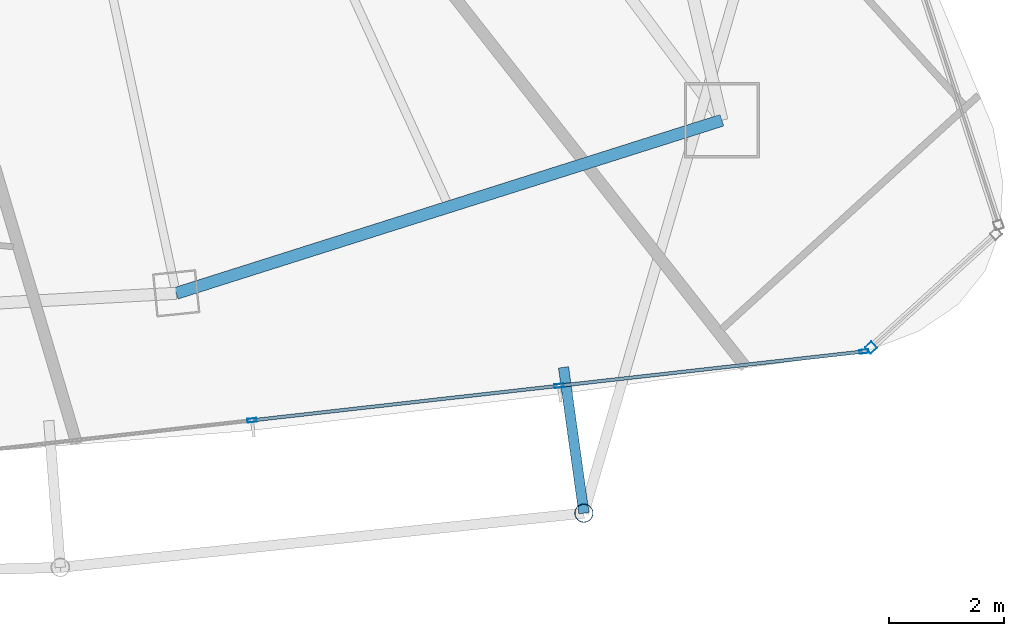
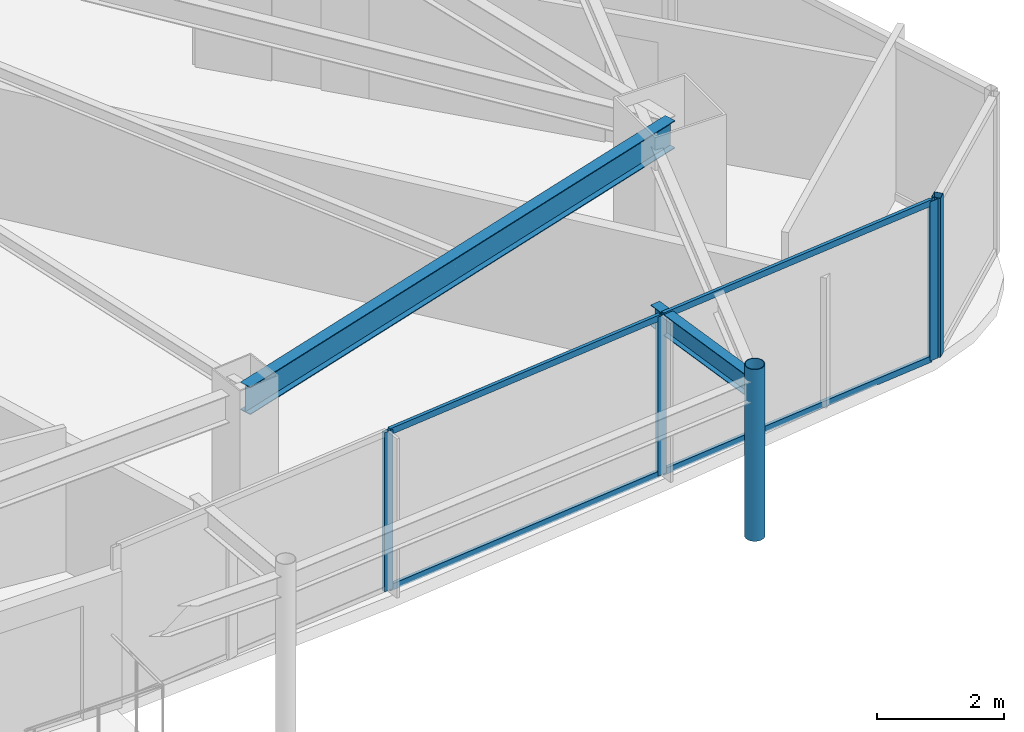
# One storey, part 15 of 33: 9 members, 2 beams, 2 elements without a shape of their own.
"""IFC4 building model written with IfcOpenShell, lengths in metres."""

from ifc_helpers import new_model, si_unit, direction, frame, origin, origin_2d, place, context, subcontext, project, spatial, hollow_rectangle, hollow_circle, i_section, extrude, material, layer, layer_set, material_profile, profile_set, type_object, element, aggregate, save


model = new_model("IFC4")

# Units and contexts
model_context = context("Model", 3, precision=1e-05, world=origin(), true_north=direction((0.0, 1.0)))
body_context = subcontext(model_context, "Body", "Model", "MODEL_VIEW")
ifc_project = project(units=[si_unit("LENGTHUNIT", "METRE"), si_unit("AREAUNIT", "SQUARE_METRE"), si_unit("VOLUMEUNIT", "CUBIC_METRE"), si_unit("PLANEANGLEUNIT", "RADIAN"), si_unit("MASSUNIT", "GRAM", prefix="KILO")], contexts=[model_context])

# Site, building, storey
site_placement = place(None, origin())
site = spatial("IfcSite", under=ifc_project, at=site_placement, CompositionType="ELEMENT")
building_placement = place(site_placement, origin())
building = spatial("IfcBuilding", under=site, at=building_placement, Name="Orvanel Arch Residences", CompositionType="ELEMENT")
storey_placement = place(building_placement, frame((0.0, 0.0, 196.39990234375)))
storey = spatial("IfcBuildingStorey", under=building, at=storey_placement, Name="L55", CompositionType="ELEMENT", Elevation=196.39990234375)

# Curtain wall, member
ifc_material_1 = material(Name="Bronze-anodised aluminium AA6063-T6", Category="aluminium")
ifc_layer_1 = layer(ifc_material_1, 0.18994140625)
ifc_layer_set_1 = layer_set([ifc_layer_1], Name="Bronze-anodised aluminium AA6063-T6")
curtain_wall_type_1 = type_object("IfcCurtainWallType", Name="CW5-CRN-SYS", PredefinedType="NOTDEFINED", material=ifc_layer_set_1)
curtain_wall_1_placement = place(storey_placement, origin())
curtain_wall_1 = element("IfcCurtainWall", 1, at=curtain_wall_1_placement, inside=storey, type_object=curtain_wall_type_1, Name="L55 CW5-CRN-SYS Unitised Curtain Wall", PredefinedType="NOTDEFINED")
ifc_material_profile_1 = material_profile(ifc_material_1, hollow_rectangle(XDim=0.14990234375, YDim=0.14990234375, WallThickness=0.0048828125, at=origin_2d()), Name="ALU150x150x5")
ifc_profile_set_1 = profile_set([ifc_material_profile_1], Name="Bronze-anodised aluminium AA6063-T6")
member_type_1 = type_object("IfcMemberType", Name="MUL-150x150", PredefinedType="MULLION", material=ifc_profile_set_1)
member_1_placement = place(storey_placement, frame((54.385498046875, 6.41650390625, 0.0), z_axis=(0.0, 0.0, 1.0), x_axis=(-0.672478543839, 0.740116617889, 0.0)))
member_1 = element("IfcMember", 2, at=member_1_placement, type_object=member_type_1, Name="CW-S5 mullion 1", PredefinedType="MULLION", context=body_context, shape_type="SweptSolid", body=[
    extrude(hollow_rectangle(XDim=0.14990234375, YDim=0.14990234375, WallThickness=0.0048828125, at=origin_2d()), origin(), (0.0, 0.0, 1.0), 3.06005859375),
])
aggregate(curtain_wall_1, [member_1])

# Curtain wall, members
ifc_layer_2 = layer(ifc_material_1, 0.175048828125)
ifc_layer_set_2 = layer_set([ifc_layer_2], Name="Bronze-anodised aluminium AA6063-T6")
curtain_wall_type_2 = type_object("IfcCurtainWallType", Name="CW4-HI-SYS", PredefinedType="NOTDEFINED", material=ifc_layer_set_2)
curtain_wall_2_placement = place(storey_placement, origin())
curtain_wall_2 = element("IfcCurtainWall", 3, at=curtain_wall_2_placement, inside=storey, type_object=curtain_wall_type_2, Name="L55 CW4-HI-SYS Unitised Curtain Wall", PredefinedType="NOTDEFINED")
ifc_material_profile_2 = material_profile(ifc_material_1, hollow_rectangle(XDim=0.06494140625, YDim=0.159912109375, WallThickness=0.00390625, at=origin_2d()), Name="ALU160x65x4")
ifc_profile_set_2 = profile_set([ifc_material_profile_2], Name="Bronze-anodised aluminium AA6063-T6")
member_type_2 = type_object("IfcMemberType", Name="MUL-160x65", PredefinedType="MULLION", material=ifc_profile_set_2)
member_2_placement = place(storey_placement, frame((43.664306640625, 5.155029296875, 0.0), z_axis=(0.0, 0.0, 1.0), x_axis=(-0.111799388547, 0.993730796907, 0.0)))
member_2 = element("IfcMember", 4, at=member_2_placement, type_object=member_type_2, Name="CW-S4 mullion 2", PredefinedType="MULLION", context=body_context, shape_type="SweptSolid", body=[
    extrude(hollow_rectangle(XDim=0.06494140625, YDim=0.159912109375, WallThickness=0.00390625, at=origin_2d()), origin(), (0.0, 0.0, 1.0), 3.06005859375),
])
member_3_placement = place(storey_placement, frame((48.979736328125, 5.7529296875, 0.0), z_axis=(0.0, 0.0, 1.0), x_axis=(-0.111799388547, 0.993730796907, 0.0)))
member_3 = element("IfcMember", 5, at=member_3_placement, type_object=member_type_2, Name="CW-S4 mullion 3", PredefinedType="MULLION", context=body_context, shape_type="SweptSolid", body=[
    extrude(hollow_rectangle(XDim=0.06494140625, YDim=0.159912109375, WallThickness=0.00390625, at=origin_2d()), origin(), (0.0, 0.0, 1.0), 3.06005859375),
])
member_4_placement = place(storey_placement, frame((54.2626953125, 6.347412109375, 0.0), z_axis=(0.0, 0.0, 1.0), x_axis=(-0.111799388547, 0.993730796907, 0.0)))
member_4 = element("IfcMember", 6, at=member_4_placement, type_object=member_type_2, Name="CW-S4 mullion 4", PredefinedType="MULLION", context=body_context, shape_type="SweptSolid", body=[
    extrude(hollow_rectangle(XDim=0.06494140625, YDim=0.159912109375, WallThickness=0.00390625, at=origin_2d()), origin(), (0.0, 0.0, 1.0), 3.06005859375),
])

# Beams
ifc_material_2 = material(Name="Structural steel AS/NZS 3679.1 Grade 300 (300 MPa)", Category="steel")
ifc_material_profile_3 = material_profile(ifc_material_2, i_section(OverallWidth=0.177978515625, OverallDepth=0.406005859375, WebThickness=0.0078125, FlangeThickness=0.0126953125, at=origin_2d()), Name="410UB59.7")
ifc_profile_set_3 = profile_set([ifc_material_profile_3], Name="Structural steel AS/NZS 3679.1 Grade 300 (300 MPa)")
beam_type_1 = type_object("IfcBeamType", Name="OB-410UB-EXT", PredefinedType="SPANDREL", material=ifc_profile_set_3)
beam_1_placement = place(storey_placement, frame((49.05810546875, 6.072998046875, 2.857177734375), z_axis=(0.138324868017, -0.990386909691, 0.0), x_axis=(0.990386909691, 0.138324868017, 0.0)))
element("IfcBeam", 7, at=beam_1_placement, inside=storey, type_object=beam_type_1, Name="L55 Outer Frame Radial Tie Beam 08", PredefinedType="SPANDREL", context=body_context, shape_type="SweptSolid", body=[
    extrude(i_section(OverallWidth=0.177978515625, OverallDepth=0.406005859375, WebThickness=0.0078125, FlangeThickness=0.0126953125, at=origin_2d()), origin(), (0.0, 0.0, 1.0), 2.55029296875),
])
ifc_material_profile_4 = material_profile(ifc_material_2, i_section(OverallWidth=0.208984375, OverallDepth=0.532958984375, WebThickness=0.01025390625, FlangeThickness=0.015625, at=origin_2d()), Name="530UB92.4")
ifc_profile_set_4 = profile_set([ifc_material_profile_4], Name="Structural steel AS/NZS 3679.1 Grade 300 (300 MPa)")
beam_type_2 = type_object("IfcBeamType", Name="SP-530UB", PredefinedType="SPANDREL", material=ifc_profile_set_4)
beam_2_placement = place(storey_placement, frame((42.35107421875, 7.35498046875, 2.794189453125), z_axis=(0.953237386592, 0.302222574941, 0.0), x_axis=(-0.302222574941, 0.953237386592, 0.0)))
element("IfcBeam", 8, at=beam_2_placement, inside=storey, type_object=beam_type_2, Name="L55 Perimeter Spandrel Beam 05", PredefinedType="SPANDREL", context=body_context, shape_type="SweptSolid", body=[
    extrude(i_section(OverallWidth=0.208984375, OverallDepth=0.532958984375, WebThickness=0.01025390625, FlangeThickness=0.015625, at=origin_2d()), origin(), (0.0, 0.0, 1.0), 9.91357421875),
])

# Member
ifc_material_3 = material(Name="Structural steel AS/NZS 1163 C350L0 (Grade 350)", Category="steel")
ifc_material_profile_5 = material_profile(ifc_material_3, hollow_circle(Radius=0.162109375, WallThickness=0.0126953125, at=origin_2d()), Name="CHS324x12.7")
ifc_profile_set_5 = profile_set([ifc_material_profile_5], Name="Structural steel AS/NZS 1163 C350L0 (Grade 350)")
member_type_3 = type_object("IfcMemberType", Name="ST-324CHS-EXT", PredefinedType="STRUT", material=ifc_profile_set_5)
member_5_placement = place(storey_placement, frame((49.410888671875, 3.547119140625, 0.0), z_axis=(0.0, 0.0, 1.0), x_axis=(1.0, 0.0, 0.0)))
element("IfcMember", 9, at=member_5_placement, inside=storey, type_object=member_type_3, Name="L55 Outer Perimeter Frame Post 08", PredefinedType="STRUT", context=body_context, shape_type="SweptSolid", body=[
    extrude(hollow_circle(Radius=0.162109375, WallThickness=0.0126953125, at=origin_2d()), origin(), (0.0, 0.0, 1.0), 3.300048828125),
])

ifc_material_profile_6 = material_profile(ifc_material_1, hollow_rectangle(XDim=0.06005859375, YDim=0.1201171875, WallThickness=0.00341796875, at=origin_2d()), Name="ALU120x60x3.5")
ifc_profile_set_6 = profile_set([ifc_material_profile_6], Name="Bronze-anodised aluminium AA6063-T6")
member_type_4 = type_object("IfcMemberType", Name="TRN-120x60", PredefinedType="USERDEFINED", material=ifc_profile_set_6)
member_6_placement = place(storey_placement, frame((43.696533203125, 5.15869140625, 0.030029296875), z_axis=(0.993734074904, 0.111770248161, 0.0), x_axis=(-0.111770248161, 0.993734074904, 0.0)))
member_6 = element("IfcMember", 10, at=member_6_placement, type_object=member_type_4, Name="CW-S4 transom 2.1", ObjectType="TRANSOM", PredefinedType="USERDEFINED", context=body_context, shape_type="SweptSolid", body=[
    extrude(hollow_rectangle(XDim=0.06005859375, YDim=0.1201171875, WallThickness=0.00341796875, at=origin_2d()), origin(), (0.0, 0.0, 1.0), 5.283935546875),
])

member_7_placement = place(storey_placement, frame((43.696533203125, 5.15869140625, 3.030029296875), z_axis=(0.993734074904, 0.111770248161, 0.0), x_axis=(-0.111770248161, 0.993734074904, 0.0)))
member_7 = element("IfcMember", 11, at=member_7_placement, type_object=member_type_4, Name="CW-S4 transom 2.2", ObjectType="TRANSOM", PredefinedType="USERDEFINED", context=body_context, shape_type="SweptSolid", body=[
    extrude(hollow_rectangle(XDim=0.06005859375, YDim=0.1201171875, WallThickness=0.00341796875, at=origin_2d()), origin(), (0.0, 0.0, 1.0), 5.283935546875),
])

member_8_placement = place(storey_placement, frame((49.011962890625, 5.756591796875, 0.030029296875), z_axis=(0.993729702059, 0.111809119694, 0.0), x_axis=(-0.111809119694, 0.993729702059, 0.0)))
member_8 = element("IfcMember", 12, at=member_8_placement, type_object=member_type_4, Name="CW-S4 transom 3.1", ObjectType="TRANSOM", PredefinedType="USERDEFINED", context=body_context, shape_type="SweptSolid", body=[
    extrude(hollow_rectangle(XDim=0.06005859375, YDim=0.1201171875, WallThickness=0.00341796875, at=origin_2d()), origin(), (0.0, 0.0, 1.0), 5.25146484375),
])

member_9_placement = place(storey_placement, frame((49.011962890625, 5.756591796875, 3.030029296875), z_axis=(0.993729702059, 0.111809119694, 0.0), x_axis=(-0.111809119694, 0.993729702059, 0.0)))
member_9 = element("IfcMember", 13, at=member_9_placement, type_object=member_type_4, Name="CW-S4 transom 3.2", ObjectType="TRANSOM", PredefinedType="USERDEFINED", context=body_context, shape_type="SweptSolid", body=[
    extrude(hollow_rectangle(XDim=0.06005859375, YDim=0.1201171875, WallThickness=0.00341796875, at=origin_2d()), origin(), (0.0, 0.0, 1.0), 5.25146484375),
])

aggregate(curtain_wall_2, [member_2, member_3, member_4, member_6, member_7, member_8, member_9])

save(model, "model.ifc")
